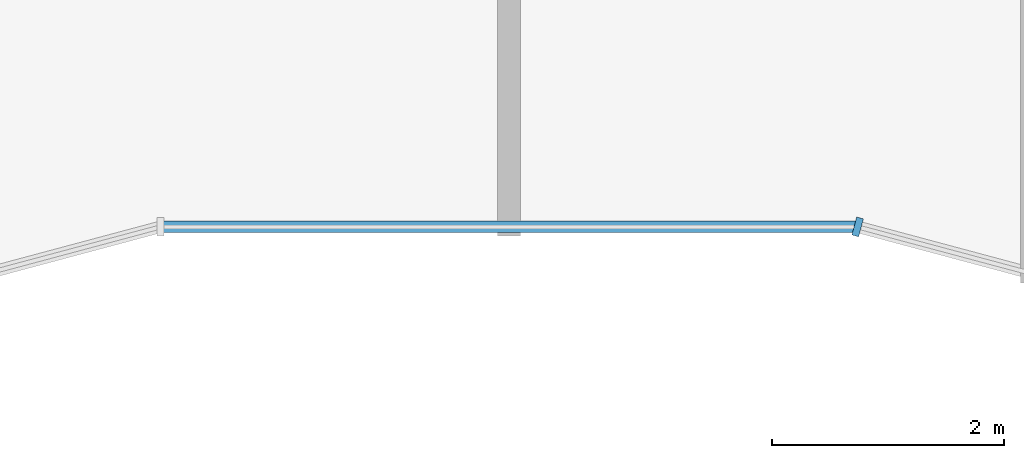
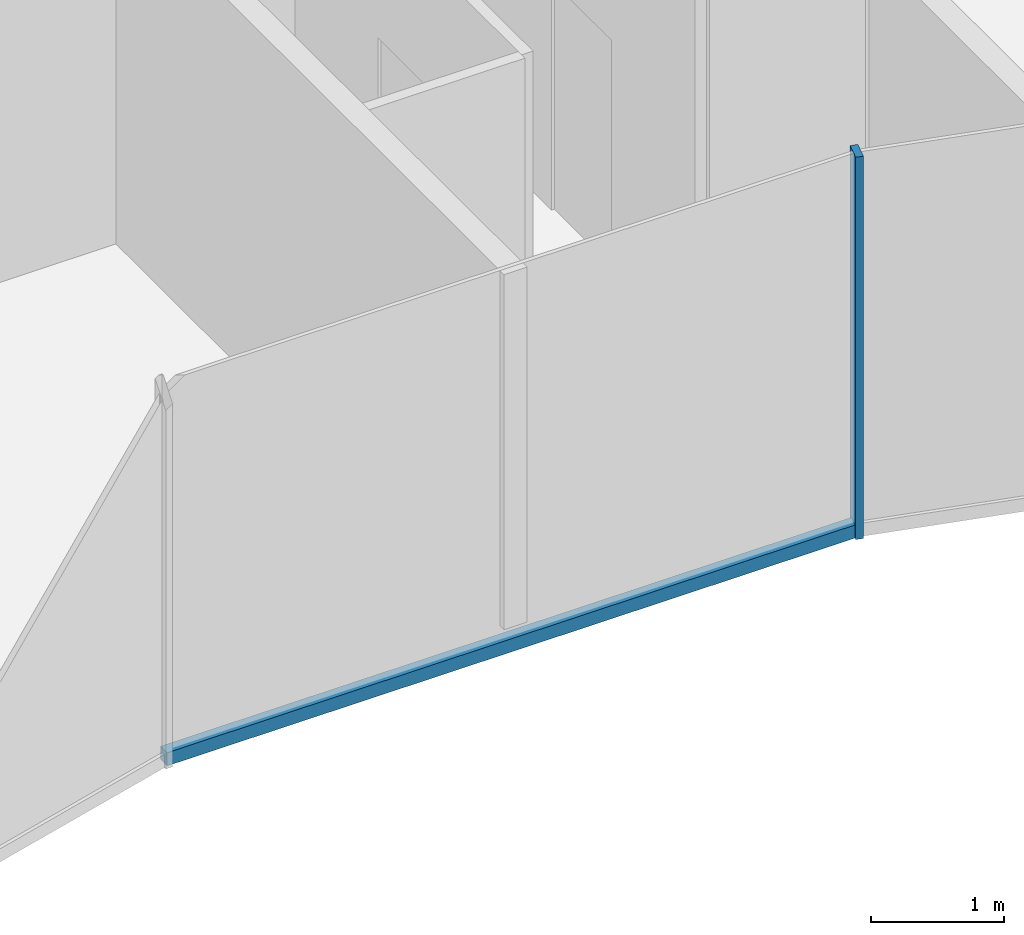
# One storey, part 3 of 16: 2 members, 2 elements without a shape of their own.
"""IFC4 building model written with IfcOpenShell, lengths in metres."""

from ifc_helpers import new_model, si_unit, direction, frame, origin, origin_2d, place, context, subcontext, project, spatial, rectangle, extrude, material, layer, layer_set, material_profile, profile_set, type_object, element, aggregate, save


model = new_model("IFC4")

# Units and contexts
model_context = context("Model", 3, precision=1e-05, world=origin(), true_north=direction((0.0, 1.0)))
body_context = subcontext(model_context, "Body", "Model", "MODEL_VIEW")
ifc_project = project(units=[si_unit("LENGTHUNIT", "METRE"), si_unit("AREAUNIT", "SQUARE_METRE"), si_unit("VOLUMEUNIT", "CUBIC_METRE"), si_unit("PLANEANGLEUNIT", "RADIAN"), si_unit("MASSUNIT", "GRAM", prefix="KILO")], contexts=[model_context])

# Site, building, storey
site_placement = place(None, origin())
site = spatial("IfcSite", under=ifc_project, at=site_placement, CompositionType="ELEMENT")
building_placement = place(site_placement, origin())
building = spatial("IfcBuilding", under=site, at=building_placement, Name="Plateau Cross Towers", CompositionType="ELEMENT")
storey_placement = place(building_placement, frame((0.0, 0.0, 167.39990234375)))
storey = spatial("IfcBuildingStorey", under=building, at=storey_placement, Name="L43", CompositionType="ELEMENT", Elevation=167.39990234375)

# Curtain wall, member
ifc_material_1 = material(Name="Dark low-iron glass", Category="glass")
ifc_layer = layer(ifc_material_1, 0.260009765625)
ifc_layer_set = layer_set([ifc_layer], Name="Dark low-iron glass")
curtain_wall_type = type_object("IfcCurtainWallType", Name="Curtain wall fluted unitised CW-A", PredefinedType="NOTDEFINED", material=ifc_layer_set)
curtain_wall_1_placement = place(storey_placement, origin())
curtain_wall_1 = element("IfcCurtainWall", 1, at=curtain_wall_1_placement, inside=storey, type_object=curtain_wall_type, Name="ENV/A/L43/A300_16", PredefinedType="NOTDEFINED")
ifc_material_2 = material(Name="Black anodised aluminium", Category="aluminium")
ifc_material_profile_1 = material_profile(ifc_material_2, rectangle(XDim=0.06005859375, YDim=0.159912109375, at=origin_2d()), Name="MULLION 60x160")
ifc_profile_set_1 = profile_set([ifc_material_profile_1], Name="Black anodised aluminium")
member_type_1 = type_object("IfcMemberType", Name="Mullion 60x160 fluted unitised", PredefinedType="MULLION", material=ifc_profile_set_1)
member_1_placement = place(storey_placement, frame((30.0, 1.60693359375, -0.25), z_axis=(0.0, 0.0, 1.0), x_axis=(0.965957983404, -0.258699003279, 0.0)))
member_1 = element("IfcMember", 2, at=member_1_placement, type_object=member_type_1, Name="CW-A mullion 1", PredefinedType="MULLION", context=body_context, shape_type="SweptSolid", body=[
    extrude(rectangle(XDim=0.06005859375, YDim=0.159912109375, at=origin_2d()), origin(), (0.0, 0.0, 1.0), 3.5),
])
aggregate(curtain_wall_1, [member_1])

curtain_wall_2_placement = place(storey_placement, origin())
curtain_wall_2 = element("IfcCurtainWall", 3, at=curtain_wall_2_placement, inside=storey, type_object=curtain_wall_type, Name="ENV/A/L43/A240_16", PredefinedType="NOTDEFINED")
ifc_material_profile_2 = material_profile(ifc_material_2, rectangle(XDim=0.10009765625, YDim=0.1201171875, at=origin_2d()), Name="TRANSOM 100x120")
ifc_profile_set_2 = profile_set([ifc_material_profile_2], Name="Black anodised aluminium")
member_type_2 = type_object("IfcMemberType", Name="Transom 100x120 fluted unitised", PredefinedType="USERDEFINED", material=ifc_profile_set_2)
member_2_placement = place(storey_placement, frame((24.0, 1.60693359375, -0.18994140625), z_axis=(1.0, 0.0, 0.0), x_axis=(0.0, 1.0, 0.0)))
member_2 = element("IfcMember", 4, at=member_2_placement, type_object=member_type_2, Name="CW-A transom", ObjectType="TRANSOM", PredefinedType="USERDEFINED", context=body_context, shape_type="SweptSolid", body=[
    extrude(rectangle(XDim=0.10009765625, YDim=0.1201171875, at=origin_2d()), origin(), (0.0, 0.0, 1.0), 6.0),
])
aggregate(curtain_wall_2, [member_2])

save(model, "model.ifc")
